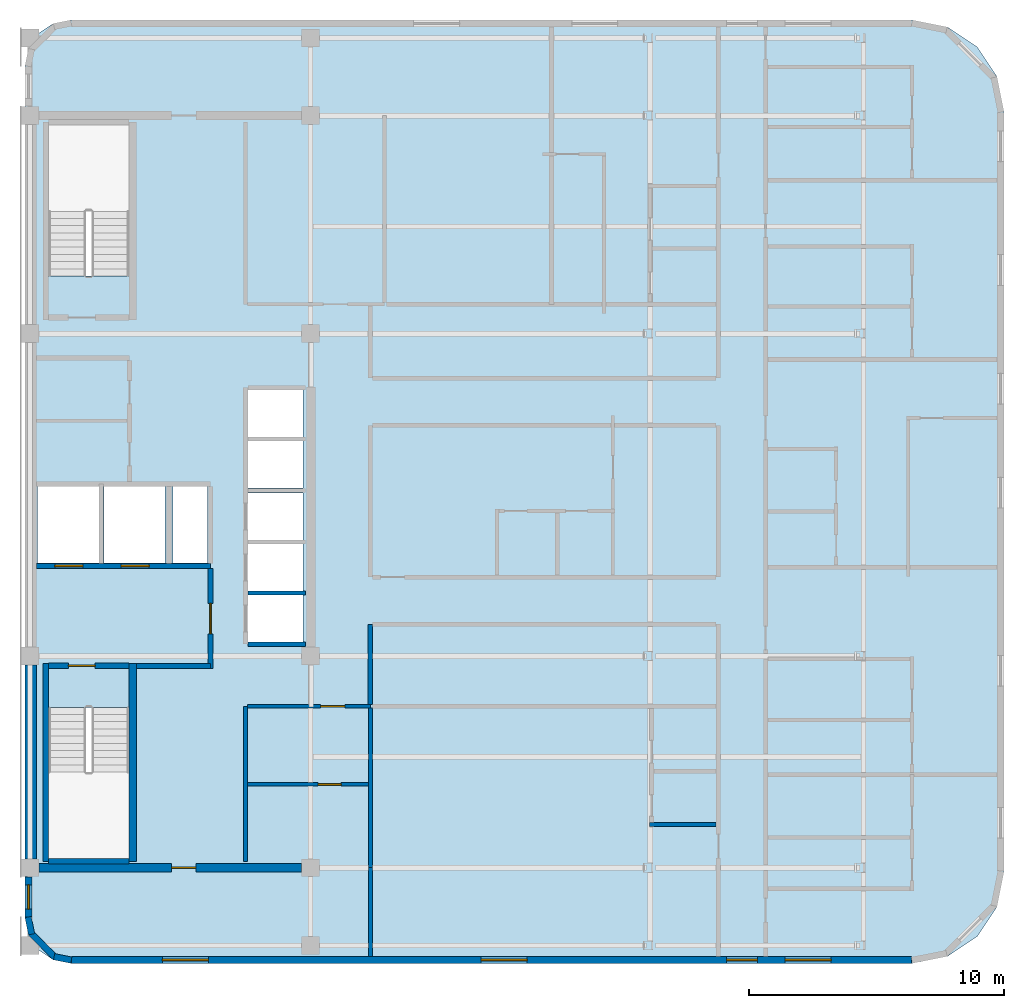
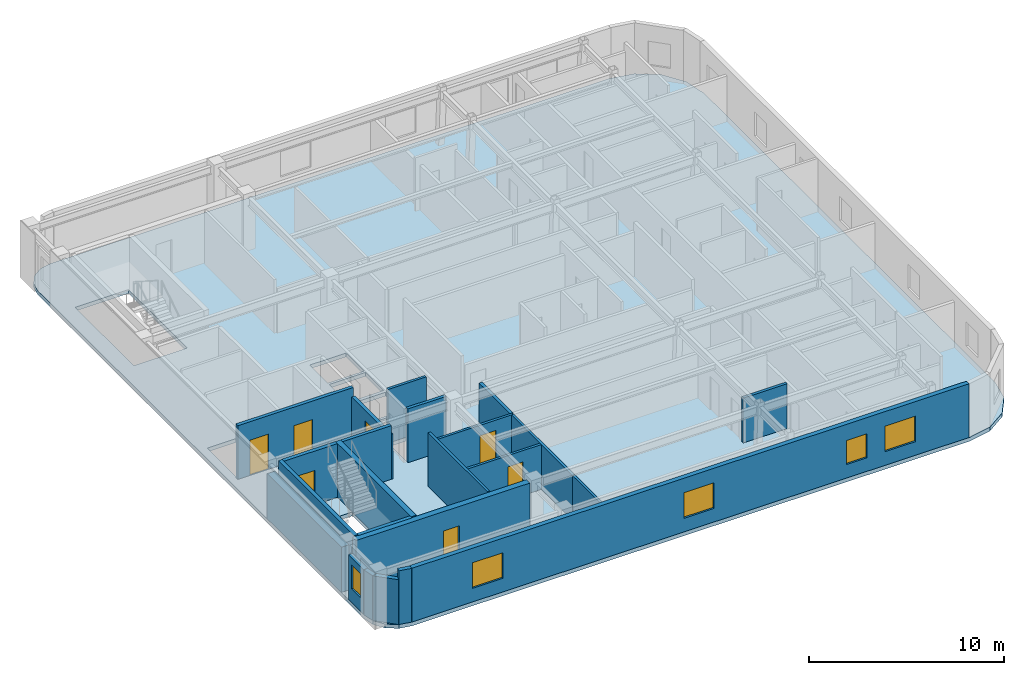
# One storey, part 2 of 7: 23 walls, 7 doors, 5 windows, 1 slab, 12 openings.
"""IFC4 building model written with IfcOpenShell, lengths in metres."""

from ifc_helpers import new_model, si_unit, direction, frame, frame_2d, origin, place, context, subcontext, project, spatial, polyline, rectangle, outline, extrude, material, layer, layer_set, type_object, element, fill, save


model = new_model("IFC4")

# Units and contexts
model_context = context("Model", 3, precision=1e-05, world=origin(), true_north=direction((0.0, 1.0)))
body_context = subcontext(model_context, "Body", "Model", "MODEL_VIEW")
ifc_project = project(units=[si_unit("LENGTHUNIT", "METRE"), si_unit("AREAUNIT", "SQUARE_METRE"), si_unit("VOLUMEUNIT", "CUBIC_METRE"), si_unit("PLANEANGLEUNIT", "RADIAN"), si_unit("MASSUNIT", "GRAM", prefix="KILO")], contexts=[model_context])

# Site, building, storey
site_placement = place(None, origin())
site = spatial("IfcSite", under=ifc_project, at=site_placement, CompositionType="ELEMENT")
building_placement = place(site_placement, origin())
building = spatial("IfcBuilding", under=site, at=building_placement, Name="Ochreholt Gables", CompositionType="ELEMENT")
storey_placement = place(building_placement, frame((0.0, 0.0, 242.39990234375)))
storey = spatial("IfcBuildingStorey", under=building, at=storey_placement, Name="L63", CompositionType="ELEMENT", Elevation=242.39990234375)

# Slab
ifc_material_1 = material(Name="Concrete 40 MPa", Category="concrete")
ifc_layer_1 = layer(ifc_material_1, 0.239990234375, Name="Concrete 40 MPa")
ifc_layer_set_1 = layer_set([ifc_layer_1], Name="Concrete 40 MPa")
slab_type = type_object("IfcSlabType", Name="SLAB-TWR-240", PredefinedType="FLOOR", material=ifc_layer_set_1)
slab_placement = place(storey_placement, frame((0.0, 0.0, -0.239990234375)))
element("IfcSlab", 1, at=slab_placement, inside=storey, type_object=slab_type, Name="L63 Structural Floor Slab", PredefinedType="FLOOR", context=body_context, shape_type="SweptSolid", body=[
    extrude(outline(polyline([(24.0, 7.300048828125), (24.136962890625, 6.611083984375), (24.527099609375, 6.027099609375), (25.111083984375, 5.636962890625), (25.800048828125, 5.5), (58.800048828125, 5.5), (60.177734375, 5.77392578125), (61.345703125, 6.554443359375), (62.1259765625, 7.722412109375), (62.39990234375, 9.10009765625), (62.39990234375, 38.89990234375), (62.1259765625, 40.277587890625), (61.345703125, 41.445556640625), (60.177734375, 42.22607421875), (58.800048828125, 42.5), (25.800048828125, 42.5), (25.111083984375, 42.363037109375), (24.527099609375, 41.972900390625), (24.136962890625, 41.388916015625), (24.0, 40.699951171875), (24.0, 7.300048828125)]), holes=[polyline([(24.919921875, 15.539306640625), (24.919921875, 9.52001953125), (28.080078125, 9.52001953125), (28.080078125, 15.539306640625), (24.919921875, 15.539306640625)]), polyline([(28.080078125, 32.460693359375), (28.080078125, 38.47998046875), (24.919921875, 38.47998046875), (24.919921875, 32.460693359375), (28.080078125, 32.460693359375)]), polyline([(24.5, 21.199951171875), (26.89990234375, 21.199951171875), (26.89990234375, 24.199951171875), (24.5, 24.199951171875), (24.5, 21.199951171875)]), polyline([(27.10009765625, 21.199951171875), (29.5, 21.199951171875), (29.5, 24.199951171875), (27.10009765625, 24.199951171875), (27.10009765625, 21.199951171875)]), polyline([(32.75, 18.10009765625), (34.89990234375, 18.10009765625), (34.89990234375, 19.949951171875), (32.75, 19.949951171875), (32.75, 18.10009765625)]), polyline([(32.75, 20.10009765625), (34.89990234375, 20.10009765625), (34.89990234375, 21.949951171875), (32.75, 21.949951171875), (32.75, 20.10009765625)]), polyline([(32.75, 22.10009765625), (34.89990234375, 22.10009765625), (34.89990234375, 23.949951171875), (32.75, 23.949951171875), (32.75, 22.10009765625)]), polyline([(32.75, 24.14990234375), (34.89990234375, 24.14990234375), (34.89990234375, 26.0), (32.75, 26.0), (32.75, 24.14990234375)]), polyline([(32.75, 26.14990234375), (34.89990234375, 26.14990234375), (34.89990234375, 28.0), (32.75, 28.0), (32.75, 26.14990234375)]), polyline([(29.800048828125, 21.199951171875), (31.14990234375, 21.199951171875), (31.14990234375, 24.199951171875), (29.800048828125, 24.199951171875), (29.800048828125, 21.199951171875)])]), origin(), (0.0, 0.0, 1.0), 0.239990234375),
])

# Wall, opening, door
ifc_material_2 = material(Name="Concrete 50 MPa", Category="concrete")
ifc_layer_2 = layer(ifc_material_2, 0.35009765625, Name="Concrete 50 MPa")
ifc_layer_set_2 = layer_set([ifc_layer_2], Name="Concrete 50 MPa")
wall_type_1 = type_object("IfcWallType", Name="WALL-CSW-350", PredefinedType="SHEAR", material=ifc_layer_set_2)
wall_1_placement = place(storey_placement, frame((24.550048828125, 9.25, 0.0), z_axis=(0.0, 0.0, 1.0), x_axis=(1.0, 0.0, 0.0)))
wall_1 = element("IfcWall", 2, at=wall_1_placement, inside=storey, type_object=wall_type_1, Name="L63 Core South Shear Wall", PredefinedType="SHEAR", context=body_context, shape_type="SweptSolid", body=[
    extrude(rectangle(XDim=10.300048828125, YDim=0.35009765625, at=frame_2d((5.14990234375, 0.0))), origin(), (0.0, 0.0, 1.0), 3.360107421875),
])
opening_1_placement = place(wall_1_placement, frame((5.199951171875, 0.0, 0.0)))
opening_1 = element("IfcOpeningElement", 3, at=opening_1_placement, cuts=wall_1, Name="Opening D-FL2", PredefinedType="OPENING", context=body_context, shape_type="SweptSolid", body=[
    extrude(rectangle(XDim=0.949951171875, YDim=2.14990234375, at=frame_2d((0.47509765625, 1.074951171875))), frame((0.0, 0.18505859375, 0.0), z_axis=(0.0, -1.0, 0.0), x_axis=(1.0, 0.0, 0.0)), (0.0, 0.0, 1.0), 0.3701171875),
])
ifc_material_3 = material(Name="Hollow Metal Steel", Category="steel")
door_type_1 = type_object("IfcDoorType", Name="DR-INT-FLB950", OperationType="NOTDEFINED", PredefinedType="DOOR", material=ifc_material_3)
door_1_placement = place(opening_1_placement, frame((0.949951171875, 0.0, 0.0), z_axis=(0.0, 0.0, 1.0), x_axis=(-1.0, 0.0, 0.0)))
door_1 = element("IfcDoor", 4, at=door_1_placement, inside=storey, type_object=door_type_1, Name="L63 Door D-C3SSL-L63", OperationType="SINGLE_SWING_LEFT", OverallHeight=2.14990234375, OverallWidth=0.949951171875, PredefinedType="DOOR", context=body_context, shape_type="SweptSolid", body=[
    extrude(rectangle(XDim=0.949951171875, YDim=2.14990234375, at=frame_2d((0.47509765625, 1.074951171875))), frame((0.0, 0.02490234375, 0.0), z_axis=(0.0, -1.0, 0.0), x_axis=(1.0, 0.0, 0.0)), (0.0, 0.0, 1.0), 0.050048828125),
])
fill(opening_1, door_1)

# Wall
ifc_layer_3 = layer(ifc_material_2, 0.449951171875, Name="Concrete 50 MPa")
ifc_layer_set_3 = layer_set([ifc_layer_3], Name="Concrete 50 MPa")
wall_type_2 = type_object("IfcWallType", Name="WALL-CSW-EXT", PredefinedType="SHEAR", material=ifc_layer_set_3)
wall_2_placement = place(storey_placement, frame((24.22509765625, 9.60009765625, 0.0), z_axis=(0.0, 0.0, 1.0), x_axis=(0.0, 1.0, 0.0)))
element("IfcWall", 5, at=wall_2_placement, inside=storey, type_object=wall_type_2, Name="L63 Core West Shear Wall WS", PredefinedType="SHEAR", context=body_context, shape_type="SweptSolid", body=[
    extrude(rectangle(XDim=7.599853515625, YDim=0.449951171875, at=frame_2d((3.7998046875, 0.0))), origin(), (0.0, 0.0, 1.0), 2.821044921875),
])

# Wall, openings, windows
ifc_material_4 = material(Name="Precast concrete 40 MPa", Category="concrete")
ifc_layer_4 = layer(ifc_material_4, 0.27001953125, Name="Precast concrete 40 MPa")
ifc_layer_set_4 = layer_set([ifc_layer_4], Name="Precast concrete 40 MPa")
wall_type_3 = type_object("IfcWallType", Name="WALL-EXT-270", PredefinedType="SOLIDWALL", material=ifc_layer_set_4)
wall_3_placement = place(storey_placement, frame((25.820068359375, 5.635009765625, 0.0), z_axis=(0.0, 0.0, 1.0), x_axis=(1.0, 0.0, 0.0)))
wall_3 = element("IfcWall", 6, at=wall_3_placement, inside=storey, type_object=wall_type_3, Name="L63 South Exterior Wall", PredefinedType="SOLIDWALL", context=body_context, shape_type="SweptSolid", body=[
    extrude(rectangle(XDim=32.9599609375, YDim=0.27001953125, at=frame_2d((16.47998046875, 0.0))), origin(), (0.0, 0.0, 1.0), 3.360107421875),
])
opening_2_placement = place(wall_3_placement, frame((3.570068359375, 0.0, 0.85009765625)))
opening_2 = element("IfcOpeningElement", 7, at=opening_2_placement, cuts=wall_3, Name="Opening WN-1", PredefinedType="OPENING", context=body_context, shape_type="SweptSolid", body=[
    extrude(rectangle(XDim=1.800048828125, YDim=1.60009765625, at=frame_2d((0.89990234375, 0.800048828125))), frame((0.0, 0.14501953125, 0.0), z_axis=(0.0, -1.0, 0.0), x_axis=(1.0, 0.0, 0.0)), (0.0, 0.0, 1.0), 0.2900390625),
])
opening_3_placement = place(wall_3_placement, frame((16.076416015625, 0.0, 0.85009765625)))
opening_3 = element("IfcOpeningElement", 8, at=opening_3_placement, cuts=wall_3, Name="Opening WN-1", PredefinedType="OPENING", context=body_context, shape_type="SweptSolid", body=[
    extrude(rectangle(XDim=1.800048828125, YDim=1.60009765625, at=frame_2d((0.89990234375, 0.800048828125))), frame((0.0, 0.14501953125, 0.0), z_axis=(0.0, -1.0, 0.0), x_axis=(1.0, 0.0, 0.0)), (0.0, 0.0, 1.0), 0.2900390625),
])
opening_4_placement = place(wall_3_placement, frame((25.705078125, 0.0, 0.85009765625)))
opening_4 = element("IfcOpeningElement", 9, at=opening_4_placement, cuts=wall_3, Name="Opening WN-3", PredefinedType="OPENING", context=body_context, shape_type="SweptSolid", body=[
    extrude(rectangle(XDim=1.199951171875, YDim=1.5, at=frame_2d((0.60009765625, 0.75))), frame((0.0, 0.14501953125, 0.0), z_axis=(0.0, -1.0, 0.0), x_axis=(1.0, 0.0, 0.0)), (0.0, 0.0, 1.0), 0.2900390625),
])
opening_5_placement = place(wall_3_placement, frame((27.9951171875, 0.0, 0.85009765625)))
opening_5 = element("IfcOpeningElement", 10, at=opening_5_placement, cuts=wall_3, Name="Opening WN-1", PredefinedType="OPENING", context=body_context, shape_type="SweptSolid", body=[
    extrude(rectangle(XDim=1.800048828125, YDim=1.60009765625, at=frame_2d((0.89990234375, 0.800048828125))), frame((0.0, 0.14501953125, 0.0), z_axis=(0.0, -1.0, 0.0), x_axis=(1.0, 0.0, 0.0)), (0.0, 0.0, 1.0), 0.2900390625),
])
ifc_material_5 = material(Name="Triple-Glazed Thermally Broken Aluminium Window", Category="aluminium")
window_type_1 = type_object("IfcWindowType", Name="WIN-RES-1200", PartitioningType="SINGLE_PANEL", PredefinedType="WINDOW", material=ifc_material_5)
window_1_placement = place(opening_4_placement, origin())
window_1 = element("IfcWindow", 11, at=window_1_placement, inside=storey, type_object=window_type_1, Name="L63 Window W-EXT-S-L63-3", OverallHeight=1.5, OverallWidth=1.199951171875, PartitioningType="SINGLE_PANEL", PredefinedType="WINDOW", context=body_context, shape_type="SweptSolid", body=[
    extrude(rectangle(XDim=1.199951171875, YDim=1.5, at=frame_2d((0.60009765625, 0.75))), frame((0.0, 0.030029296875, 0.0), z_axis=(0.0, -1.0, 0.0), x_axis=(1.0, 0.0, 0.0)), (0.0, 0.0, 1.0), 0.06005859375),
])
fill(opening_4, window_1)
window_type_2 = type_object("IfcWindowType", Name="WIN-RES-1800", PartitioningType="SINGLE_PANEL", PredefinedType="WINDOW", material=ifc_material_5)
window_2_placement = place(opening_2_placement, origin())
window_2 = element("IfcWindow", 12, at=window_2_placement, inside=storey, type_object=window_type_2, Name="L63 Window W-EXT-S-L63-1", OverallHeight=1.60009765625, OverallWidth=1.800048828125, PartitioningType="SINGLE_PANEL", PredefinedType="WINDOW", context=body_context, shape_type="SweptSolid", body=[
    extrude(rectangle(XDim=1.800048828125, YDim=1.60009765625, at=frame_2d((0.89990234375, 0.800048828125))), frame((0.0, 0.030029296875, 0.0), z_axis=(0.0, -1.0, 0.0), x_axis=(1.0, 0.0, 0.0)), (0.0, 0.0, 1.0), 0.06005859375),
])
fill(opening_2, window_2)
window_3_placement = place(opening_3_placement, origin())
window_3 = element("IfcWindow", 13, at=window_3_placement, inside=storey, type_object=window_type_2, Name="L63 Window W-EXT-S-L63-2", OverallHeight=1.60009765625, OverallWidth=1.800048828125, PartitioningType="SINGLE_PANEL", PredefinedType="WINDOW", context=body_context, shape_type="SweptSolid", body=[
    extrude(rectangle(XDim=1.800048828125, YDim=1.60009765625, at=frame_2d((0.89990234375, 0.800048828125))), frame((0.0, 0.030029296875, 0.0), z_axis=(0.0, -1.0, 0.0), x_axis=(1.0, 0.0, 0.0)), (0.0, 0.0, 1.0), 0.06005859375),
])
fill(opening_3, window_3)
window_4_placement = place(opening_5_placement, origin())
window_4 = element("IfcWindow", 14, at=window_4_placement, inside=storey, type_object=window_type_2, Name="L63 Window W-EXT-S-L63-4", OverallHeight=1.60009765625, OverallWidth=1.800048828125, PartitioningType="SINGLE_PANEL", PredefinedType="WINDOW", context=body_context, shape_type="SweptSolid", body=[
    extrude(rectangle(XDim=1.800048828125, YDim=1.60009765625, at=frame_2d((0.89990234375, 0.800048828125))), frame((0.0, 0.030029296875, 0.0), z_axis=(0.0, -1.0, 0.0), x_axis=(1.0, 0.0, 0.0)), (0.0, 0.0, 1.0), 0.06005859375),
])
fill(opening_5, window_4)

# Wall, opening, window
wall_4_placement = place(storey_placement, frame((24.135009765625, 7.320068359375, 0.0), z_axis=(0.0, 0.0, 1.0), x_axis=(0.0, 1.0, 0.0)))
wall_4 = element("IfcWall", 15, at=wall_4_placement, inside=storey, type_object=wall_type_3, Name="L63 West Facade South Bay Wall", PredefinedType="SOLIDWALL", context=body_context, shape_type="SweptSolid", body=[
    extrude(rectangle(XDim=1.559814453125, YDim=0.27001953125, at=frame_2d((0.77978515625, 0.0))), origin(), (0.0, 0.0, 1.0), 2.802978515625),
])
opening_6_placement = place(wall_4_placement, frame((0.304931640625, 0.0, 0.85009765625)))
opening_6 = element("IfcOpeningElement", 16, at=opening_6_placement, cuts=wall_4, Name="Opening WN-10", PredefinedType="OPENING", context=body_context, shape_type="SweptSolid", body=[
    extrude(rectangle(XDim=0.949951171875, YDim=1.5, at=frame_2d((0.47509765625, 0.75))), frame((0.0, 0.14501953125, 0.0), z_axis=(0.0, -1.0, 0.0), x_axis=(1.0, 0.0, 0.0)), (0.0, 0.0, 1.0), 0.2900390625),
])
window_type_3 = type_object("IfcWindowType", Name="WIN-RES-950", PartitioningType="SINGLE_PANEL", PredefinedType="WINDOW", material=ifc_material_5)
window_5_placement = place(opening_6_placement, origin())
window_5 = element("IfcWindow", 17, at=window_5_placement, inside=storey, type_object=window_type_3, Name="L63 South Sky Lounge West Window", OverallHeight=1.5, OverallWidth=0.949951171875, PartitioningType="SINGLE_PANEL", PredefinedType="WINDOW", context=body_context, shape_type="SweptSolid", body=[
    extrude(rectangle(XDim=0.949951171875, YDim=1.5, at=frame_2d((0.47509765625, 0.75))), frame((0.0, 0.030029296875, 0.0), z_axis=(0.0, -1.0, 0.0), x_axis=(1.0, 0.0, 0.0)), (0.0, 0.0, 1.0), 0.06005859375),
])
fill(opening_6, window_5)

# Walls
ifc_layer_5 = layer(ifc_material_4, 0.25, Name="Precast concrete 40 MPa")
ifc_layer_set_5 = layer_set([ifc_layer_5], Name="Precast concrete 40 MPa")
wall_type_4 = type_object("IfcWallType", Name="WALL-EXT-CNR", PredefinedType="SOLIDWALL", material=ifc_layer_set_5)
wall_5_placement = place(storey_placement, frame((24.124267578125, 7.31640625, 0.0), z_axis=(0.0, 0.0, 1.0), x_axis=(0.194952956674, -0.980812594069, 0.0)))
element("IfcWall", 18, at=wall_5_placement, inside=storey, type_object=wall_type_4, Name="L63 Rounded Corner Wall SW-1", PredefinedType="SOLIDWALL", context=body_context, shape_type="SweptSolid", body=[
    extrude(rectangle(XDim=0.686279296875, YDim=0.25, at=frame_2d((0.34326171875, 0.0))), origin(), (0.0, 0.0, 1.0), 2.802978515625),
])
wall_6_placement = place(storey_placement, frame((24.23095703125, 6.69384765625, 0.0), z_axis=(0.0, 0.0, 1.0), x_axis=(0.707106781187, -0.707106781187, 0.0)))
element("IfcWall", 19, at=wall_6_placement, inside=storey, type_object=wall_type_4, Name="L63 Rounded Corner Wall SW-2", PredefinedType="SOLIDWALL", context=body_context, shape_type="SweptSolid", body=[
    extrude(rectangle(XDim=1.36181640625, YDim=0.25, at=frame_2d((0.680908203125, 0.0))), origin(), (0.0, 0.0, 1.0), 2.802978515625),
])
wall_7_placement = place(storey_placement, frame((25.143310546875, 5.758056640625, 0.0), z_axis=(0.0, 0.0, 1.0), x_axis=(0.980812594069, -0.194952956674, 0.0)))
element("IfcWall", 20, at=wall_7_placement, inside=storey, type_object=wall_type_4, Name="L63 Rounded Corner Wall SW-3", PredefinedType="SOLIDWALL", context=body_context, shape_type="SweptSolid", body=[
    extrude(rectangle(XDim=0.686279296875, YDim=0.25, at=frame_2d((0.34326171875, 0.0))), origin(), (0.0, 0.0, 1.0), 3.360107421875),
])

# Wall, openings, doors
ifc_layer_6 = layer(ifc_material_1, 0.199951171875, Name="Concrete 40 MPa")
ifc_layer_set_6 = layer_set([ifc_layer_6], Name="Concrete 40 MPa")
wall_type_5 = type_object("IfcWallType", Name="WALL-INT-CF200", PredefinedType="STANDARD", material=ifc_layer_set_6)
wall_8_placement = place(storey_placement, frame((24.449951171875, 21.090087890625, 0.0), z_axis=(0.0, 0.0, 1.0), x_axis=(1.0, 0.0, 0.0)))
wall_8 = element("IfcWall", 21, at=wall_8_placement, inside=storey, type_object=wall_type_5, Name="L63 Interior Wall WI-FFN-L63", PredefinedType="STANDARD", context=body_context, shape_type="SweptSolid", body=[
    extrude(rectangle(XDim=6.830078125, YDim=0.199951171875, at=frame_2d((3.4150390625, 0.0))), origin(), (0.0, 0.0, 1.0), 3.360107421875),
])
opening_7_placement = place(wall_8_placement, frame((0.719970703125, 0.0, 0.0)))
opening_7 = element("IfcOpeningElement", 22, at=opening_7_placement, cuts=wall_8, Name="Opening LD-FF", PredefinedType="OPENING", context=body_context, shape_type="SweptSolid", body=[
    extrude(rectangle(XDim=1.10009765625, YDim=2.199951171875, at=frame_2d((0.550048828125, 1.10009765625))), frame((0.0, 0.10986328125, 0.0), z_axis=(0.0, -1.0, 0.0), x_axis=(1.0, 0.0, 0.0)), (0.0, 0.0, 1.0), 0.219970703125),
])
opening_8_placement = place(wall_8_placement, frame((3.320068359375, 0.0, 0.0)))
opening_8 = element("IfcOpeningElement", 23, at=opening_8_placement, cuts=wall_8, Name="Opening LD-FF", PredefinedType="OPENING", context=body_context, shape_type="SweptSolid", body=[
    extrude(rectangle(XDim=1.10009765625, YDim=2.199951171875, at=frame_2d((0.550048828125, 1.10009765625))), frame((0.0, 0.10986328125, 0.0), z_axis=(0.0, -1.0, 0.0), x_axis=(1.0, 0.0, 0.0)), (0.0, 0.0, 1.0), 0.219970703125),
])
ifc_material_6 = material(Name="Stainless Steel", Category="steel")
door_type_2 = type_object("IfcDoorType", Name="DR-LFT-FF1100", OperationType="NOTDEFINED", PredefinedType="DOOR", material=ifc_material_6)
door_2_placement = place(opening_7_placement, origin())
door_2 = element("IfcDoor", 24, at=door_2_placement, inside=storey, type_object=door_type_2, Name="L63 Door LD-FF1-L63", OperationType="SLIDING_TO_LEFT", OverallHeight=2.199951171875, OverallWidth=1.10009765625, PredefinedType="DOOR", context=body_context, shape_type="SweptSolid", body=[
    extrude(rectangle(XDim=1.10009765625, YDim=2.199951171875, at=frame_2d((0.550048828125, 1.10009765625))), frame((0.0, 0.02490234375, 0.0), z_axis=(0.0, -1.0, 0.0), x_axis=(1.0, 0.0, 0.0)), (0.0, 0.0, 1.0), 0.050048828125),
])
fill(opening_7, door_2)
door_3_placement = place(opening_8_placement, origin())
door_3 = element("IfcDoor", 25, at=door_3_placement, inside=storey, type_object=door_type_2, Name="L63 Door LD-FF2-L63", OperationType="SLIDING_TO_LEFT", OverallHeight=2.199951171875, OverallWidth=1.10009765625, PredefinedType="DOOR", context=body_context, shape_type="SweptSolid", body=[
    extrude(rectangle(XDim=1.10009765625, YDim=2.199951171875, at=frame_2d((0.550048828125, 1.10009765625))), frame((0.0, 0.02490234375, 0.0), z_axis=(0.0, -1.0, 0.0), x_axis=(1.0, 0.0, 0.0)), (0.0, 0.0, 1.0), 0.050048828125),
])
fill(opening_8, door_3)

# Wall
wall_9_placement = place(storey_placement, frame((28.3798828125, 17.169921875, 0.0), z_axis=(0.0, 0.0, 1.0), x_axis=(1.0, 0.0, 0.0)))
element("IfcWall", 26, at=wall_9_placement, inside=storey, type_object=wall_type_5, Name="L63 Interior Wall WI-FFS-L63", PredefinedType="STANDARD", context=body_context, shape_type="SweptSolid", body=[
    extrude(rectangle(XDim=2.900146484375, YDim=0.199951171875, at=frame_2d((1.4501953125, 0.0))), origin(), (0.0, 0.0, 1.0), 3.360107421875),
])

# Wall, opening, door
wall_10_placement = place(storey_placement, frame((31.280029296875, 17.070068359375, 0.0), z_axis=(0.0, 0.0, 1.0), x_axis=(0.0, 1.0, 0.0)))
wall_10 = element("IfcWall", 27, at=wall_10_placement, inside=storey, type_object=wall_type_5, Name="L63 Interior Wall WI-FFE-L63", PredefinedType="STANDARD", context=body_context, shape_type="SweptSolid", body=[
    extrude(rectangle(XDim=3.919921875, YDim=0.199951171875, at=frame_2d((1.9599609375, 0.0))), origin(), (0.0, 0.0, 1.0), 2.802978515625),
])
opening_9_placement = place(wall_10_placement, frame((1.35009765625, 0.0, 0.0)))
opening_9 = element("IfcOpeningElement", 28, at=opening_9_placement, cuts=wall_10, Name="Opening D-FFL", PredefinedType="OPENING", context=body_context, shape_type="SweptSolid", body=[
    extrude(rectangle(XDim=1.199951171875, YDim=2.14990234375, at=frame_2d((0.60009765625, 1.074951171875))), frame((0.0, 0.10986328125, 0.0), z_axis=(0.0, -1.0, 0.0), x_axis=(1.0, 0.0, 0.0)), (0.0, 0.0, 1.0), 0.219970703125),
])
door_type_3 = type_object("IfcDoorType", Name="DR-INT-FFL1200", OperationType="NOTDEFINED", PredefinedType="DOOR", material=ifc_material_3)
door_4_placement = place(opening_9_placement, origin())
door_4 = element("IfcDoor", 29, at=door_4_placement, inside=storey, type_object=door_type_3, Name="L63 Door D-FFL-L63", OperationType="SINGLE_SWING_LEFT", OverallHeight=2.14990234375, OverallWidth=1.199951171875, PredefinedType="DOOR", context=body_context, shape_type="SweptSolid", body=[
    extrude(rectangle(XDim=1.199951171875, YDim=2.14990234375, at=frame_2d((0.60009765625, 1.074951171875))), frame((0.0, 0.02490234375, 0.0), z_axis=(0.0, -1.0, 0.0), x_axis=(1.0, 0.0, 0.0)), (0.0, 0.0, 1.0), 0.050048828125),
])
fill(opening_9, door_4)

# Walls
ifc_material_7 = material(Name="Fire-Rated Gypsum Acoustic Partition", Category="gypsum")
ifc_layer_7 = layer(ifc_material_7, 0.179931640625, Name="Fire-Rated Gypsum Acoustic Partition")
ifc_layer_set_7 = layer_set([ifc_layer_7], Name="Fire-Rated Gypsum Acoustic Partition")
wall_type_6 = type_object("IfcWallType", Name="WALL-INT-CR180", PredefinedType="STANDARD", material=ifc_layer_set_7)
wall_11_placement = place(storey_placement, frame((37.550048828125, 15.652587890625, 0.0), z_axis=(0.0, 0.0, 1.0), x_axis=(0.0, 1.0, 0.0)))
element("IfcWall", 30, at=wall_11_placement, inside=storey, type_object=wall_type_6, Name="L63 Interior Wall WI-C3CE0-L63", PredefinedType="STANDARD", context=body_context, shape_type="SweptSolid", body=[
    extrude(rectangle(XDim=3.1474609375, YDim=0.179931640625, at=frame_2d((1.57373046875, 0.0))), origin(), (0.0, 0.0, 1.0), 2.802978515625),
])
ifc_material_8 = material(Name="Moisture-Resistant Plumbing Chase Wall", Category="gypsum")
ifc_layer_8 = layer(ifc_material_8, 0.159912109375, Name="Moisture-Resistant Plumbing Chase Wall")
ifc_layer_set_8 = layer_set([ifc_layer_8], Name="Moisture-Resistant Plumbing Chase Wall")
wall_type_7 = type_object("IfcWallType", Name="WALL-INT-PL160", PredefinedType="PLUMBINGWALL", material=ifc_layer_set_8)
wall_12_placement = place(storey_placement, frame((48.50390625, 10.93994140625, 0.0), z_axis=(0.0, 0.0, 1.0), x_axis=(1.0, 0.0, 0.0)))
element("IfcWall", 31, at=wall_12_placement, inside=storey, type_object=wall_type_7, Name="L63 Interior Wall WU-L63SM1-WYS", PredefinedType="PLUMBINGWALL", context=body_context, shape_type="SweptSolid", body=[
    extrude(rectangle(XDim=2.606201171875, YDim=0.159912109375, at=frame_2d((1.30322265625, 0.0))), origin(), (0.0, 0.0, 1.0), 2.802978515625),
])
ifc_material_9 = material(Name="Lightweight Stud Partition", Category="gypsum")
ifc_layer_9 = layer(ifc_material_9, 0.14501953125, Name="Lightweight Stud Partition")
ifc_layer_set_9 = layer_set([ifc_layer_9], Name="Lightweight Stud Partition")
wall_type_8 = type_object("IfcWallType", Name="WALL-INT-PT145", PredefinedType="PARTITIONING", material=ifc_layer_set_9)
wall_13_placement = place(storey_placement, frame((32.64990234375, 9.5, 0.0), z_axis=(0.0, 0.0, 1.0), x_axis=(0.0, 1.0, 0.0)))
element("IfcWall", 32, at=wall_13_placement, inside=storey, type_object=wall_type_8, Name="L63 Interior Wall WI-RCL-W-L63", PredefinedType="PARTITIONING", context=body_context, shape_type="SweptSolid", body=[
    extrude(rectangle(XDim=6.080078125, YDim=0.14501953125, at=frame_2d((3.0400390625, 0.0))), origin(), (0.0, 0.0, 1.0), 3.360107421875),
])

# Wall, opening, door
wall_14_placement = place(storey_placement, frame((32.722412109375, 15.580078125, 0.0), z_axis=(0.0, 0.0, 1.0), x_axis=(1.0, 0.0, 0.0)))
wall_14 = element("IfcWall", 33, at=wall_14_placement, inside=storey, type_object=wall_type_8, Name="L63 Interior Wall WI-RCL-N-L63", PredefinedType="PARTITIONING", context=body_context, shape_type="SweptSolid", body=[
    extrude(rectangle(XDim=4.82763671875, YDim=0.14501953125, at=frame_2d((2.413818359375, 0.0))), origin(), (0.0, 0.0, 1.0), 2.802978515625),
])
opening_10_placement = place(wall_14_placement, frame((2.87744140625, 0.0, 0.0)))
opening_10 = element("IfcOpeningElement", 34, at=opening_10_placement, cuts=wall_14, Name="Opening D-GN1", PredefinedType="OPENING", context=body_context, shape_type="SweptSolid", body=[
    extrude(rectangle(XDim=0.949951171875, YDim=2.14990234375, at=frame_2d((0.47509765625, 1.074951171875))), frame((0.0, 0.08251953125, 0.0), z_axis=(0.0, -1.0, 0.0), x_axis=(1.0, 0.0, 0.0)), (0.0, 0.0, 1.0), 0.1650390625),
])
ifc_material_10 = material(Name="Engineered Oak Timber", Category="wood")
door_type_4 = type_object("IfcDoorType", Name="DR-INT-GEN950", OperationType="NOTDEFINED", PredefinedType="DOOR", material=ifc_material_10)
door_5_placement = place(opening_10_placement, origin())
door_5 = element("IfcDoor", 35, at=door_5_placement, inside=storey, type_object=door_type_4, Name="L63 Door D-RCL-L63", OperationType="SINGLE_SWING_LEFT", OverallHeight=2.14990234375, OverallWidth=0.949951171875, PredefinedType="DOOR", context=body_context, shape_type="SweptSolid", body=[
    extrude(rectangle(XDim=0.949951171875, YDim=2.14990234375, at=frame_2d((0.47509765625, 1.074951171875))), frame((0.0, 0.02490234375, 0.0), z_axis=(0.0, -1.0, 0.0), x_axis=(1.0, 0.0, 0.0)), (0.0, 0.0, 1.0), 0.050048828125),
])
fill(opening_10, door_5)

# Wall
wall_15_placement = place(storey_placement, frame((37.550048828125, 9.25, 0.0), z_axis=(0.0, 0.0, 1.0), x_axis=(0.0, 1.0, 0.0)))
element("IfcWall", 36, at=wall_15_placement, inside=storey, type_object=wall_type_8, Name="L63 Interior Wall WI-RCL-E-L63", PredefinedType="PARTITIONING", context=body_context, shape_type="SweptSolid", body=[
    extrude(rectangle(XDim=6.257568359375, YDim=0.14501953125, at=frame_2d((3.12890625, 0.0))), origin(), (0.0, 0.0, 1.0), 2.802978515625),
])

# Wall, opening, door
wall_16_placement = place(storey_placement, frame((32.722412109375, 12.52001953125, 0.0), z_axis=(0.0, 0.0, 1.0), x_axis=(1.0, 0.0, 0.0)))
wall_16 = element("IfcWall", 37, at=wall_16_placement, inside=storey, type_object=wall_type_8, Name="L63 Interior Wall WI-RCL-DV-L63", PredefinedType="PARTITIONING", context=body_context, shape_type="SweptSolid", body=[
    extrude(rectangle(XDim=4.755126953125, YDim=0.14501953125, at=frame_2d((2.37744140625, 0.0))), origin(), (0.0, 0.0, 1.0), 2.802978515625),
])
opening_11_placement = place(wall_16_placement, frame((2.777587890625, 0.0, 0.0)))
opening_11 = element("IfcOpeningElement", 38, at=opening_11_placement, cuts=wall_16, Name="Opening D-SV1", PredefinedType="OPENING", context=body_context, shape_type="SweptSolid", body=[
    extrude(rectangle(XDim=0.89990234375, YDim=2.10009765625, at=frame_2d((0.449951171875, 1.050048828125))), frame((0.0, 0.08251953125, 0.0), z_axis=(0.0, -1.0, 0.0), x_axis=(1.0, 0.0, 0.0)), (0.0, 0.0, 1.0), 0.1650390625),
])
door_type_5 = type_object("IfcDoorType", Name="DR-INT-SRV900", OperationType="NOTDEFINED", PredefinedType="DOOR", material=ifc_material_3)
door_6_placement = place(opening_11_placement, origin())
door_6 = element("IfcDoor", 39, at=door_6_placement, inside=storey, type_object=door_type_5, Name="L63 Door D-RCLI-L63", OperationType="SINGLE_SWING_RIGHT", OverallHeight=2.10009765625, OverallWidth=0.89990234375, PredefinedType="DOOR", context=body_context, shape_type="SweptSolid", body=[
    extrude(rectangle(XDim=0.89990234375, YDim=2.10009765625, at=frame_2d((0.449951171875, 1.050048828125))), frame((0.0, 0.02490234375, 0.0), z_axis=(0.0, -1.0, 0.0), x_axis=(1.0, 0.0, 0.0)), (0.0, 0.0, 1.0), 0.050048828125),
])
fill(opening_11, door_6)

# Walls
wall_17_placement = place(storey_placement, frame((37.550048828125, 5.77001953125, 0.0), z_axis=(0.0, 0.0, 1.0), x_axis=(0.0, 1.0, 0.0)))
element("IfcWall", 40, at=wall_17_placement, inside=storey, type_object=wall_type_8, Name="L63 Interior Wall WI-C3SMW-L63", PredefinedType="PARTITIONING", context=body_context, shape_type="SweptSolid", body=[
    extrude(rectangle(XDim=3.47998046875, YDim=0.14501953125, at=frame_2d((1.739990234375, 0.0))), origin(), (0.0, 0.0, 1.0), 2.802978515625),
])
ifc_material_11 = material(Name="Gypsum Shaftliner and Steel Stud", Category="steel")
ifc_layer_10 = layer(ifc_material_11, 0.14990234375, Name="Gypsum Shaftliner and Steel Stud")
ifc_layer_set_10 = layer_set([ifc_layer_10], Name="Gypsum Shaftliner and Steel Stud")
wall_type_9 = type_object("IfcWallType", Name="WALL-INT-SH150", PredefinedType="STANDARD", material=ifc_layer_set_10)
wall_18_placement = place(storey_placement, frame((32.739990234375, 20.02001953125, 0.0), z_axis=(0.0, 0.0, 1.0), x_axis=(1.0, 0.0, 0.0)))
element("IfcWall", 41, at=wall_18_placement, inside=storey, type_object=wall_type_9, Name="L63 Interior Wall WI-LFHE-DH1-L63", PredefinedType="STANDARD", context=body_context, shape_type="SweptSolid", body=[
    extrude(rectangle(XDim=2.260009765625, YDim=0.14990234375, at=frame_2d((1.1298828125, 0.0))), origin(), (0.0, 0.0, 1.0), 3.360107421875),
])
ifc_layer_11 = layer(ifc_material_11, 0.179931640625, Name="Gypsum Shaftliner and Steel Stud")
ifc_layer_set_11 = layer_set([ifc_layer_11], Name="Gypsum Shaftliner and Steel Stud")
wall_type_10 = type_object("IfcWallType", Name="WALL-INT-SH180", PredefinedType="STANDARD", material=ifc_layer_set_11)
wall_19_placement = place(storey_placement, frame((32.739990234375, 18.02001953125, 0.0), z_axis=(0.0, 0.0, 1.0), x_axis=(1.0, 0.0, 0.0)))
element("IfcWall", 42, at=wall_19_placement, inside=storey, type_object=wall_type_10, Name="L63 Interior Wall WI-LFHE-S-L63", PredefinedType="STANDARD", context=body_context, shape_type="SweptSolid", body=[
    extrude(rectangle(XDim=2.260009765625, YDim=0.179931640625, at=frame_2d((1.1298828125, 0.0))), origin(), (0.0, 0.0, 1.0), 3.360107421875),
])
ifc_material_12 = material(Name="Concrete 60 MPa", Category="concrete")
ifc_layer_12 = layer(ifc_material_12, 0.300048828125, Name="Concrete 60 MPa")
ifc_layer_set_12 = layer_set([ifc_layer_12], Name="Concrete 60 MPa")
wall_type_11 = type_object("IfcWallType", Name="WALL-SPN-300", PredefinedType="SHEAR", material=ifc_layer_set_12)
wall_20_placement = place(storey_placement, frame((28.22998046875, 9.5, 0.0), z_axis=(0.0, 0.0, 1.0), x_axis=(0.0, 1.0, 0.0)))
element("IfcWall", 43, at=wall_20_placement, inside=storey, type_object=wall_type_11, Name="L63 Core South Spine Shear Wall", PredefinedType="SHEAR", context=body_context, shape_type="SweptSolid", body=[
    extrude(rectangle(XDim=7.760009765625, YDim=0.300048828125, at=frame_2d((3.8798828125, 0.0))), origin(), (0.0, 0.0, 1.0), 3.360107421875),
])
ifc_layer_13 = layer(ifc_material_2, 0.219970703125, Name="Concrete 50 MPa")
ifc_layer_set_13 = layer_set([ifc_layer_13], Name="Concrete 50 MPa")
wall_type_12 = type_object("IfcWallType", Name="WALL-STW-220", PredefinedType="SHEAR", material=ifc_layer_set_13)
wall_21_placement = place(storey_placement, frame((24.81005859375, 9.5, 0.0), z_axis=(0.0, 0.0, 1.0), x_axis=(0.0, 1.0, 0.0)))
element("IfcWall", 44, at=wall_21_placement, inside=storey, type_object=wall_type_12, Name="L63 Exit Stair 1 West Wall", PredefinedType="SHEAR", context=body_context, shape_type="SweptSolid", body=[
    extrude(rectangle(XDim=7.760009765625, YDim=0.219970703125, at=frame_2d((3.8798828125, 0.0))), origin(), (0.0, 0.0, 1.0), 3.360107421875),
])
wall_22_placement = place(storey_placement, frame((24.919921875, 9.510009765625, 0.0), z_axis=(0.0, 0.0, 1.0), x_axis=(1.0, 0.0, 0.0)))
element("IfcWall", 45, at=wall_22_placement, inside=storey, type_object=wall_type_12, Name="L63 Exit Stair 1 South Wall", PredefinedType="SHEAR", context=body_context, shape_type="SweptSolid", body=[
    extrude(rectangle(XDim=3.16015625, YDim=0.219970703125, at=frame_2d((1.580078125, 0.0))), origin(), (0.0, 0.0, 1.0), 3.360107421875),
])

# Wall, opening, door
wall_23_placement = place(storey_placement, frame((24.919921875, 17.169921875, 0.0), z_axis=(0.0, 0.0, 1.0), x_axis=(1.0, 0.0, 0.0)))
wall_23 = element("IfcWall", 46, at=wall_23_placement, inside=storey, type_object=wall_type_12, Name="L63 Exit Stair 1 North Wall", PredefinedType="SHEAR", context=body_context, shape_type="SweptSolid", body=[
    extrude(rectangle(XDim=3.16015625, YDim=0.219970703125, at=frame_2d((1.580078125, 0.0))), origin(), (0.0, 0.0, 1.0), 3.360107421875),
])
opening_12_placement = place(wall_23_placement, frame((0.780029296875, 0.0, 0.0)))
opening_12 = element("IfcOpeningElement", 47, at=opening_12_placement, cuts=wall_23, Name="Opening D-STC", PredefinedType="OPENING", context=body_context, shape_type="SweptSolid", body=[
    extrude(rectangle(XDim=1.050048828125, YDim=2.14990234375, at=frame_2d((0.52490234375, 1.074951171875))), frame((0.0, 0.119873046875, 0.0), z_axis=(0.0, -1.0, 0.0), x_axis=(1.0, 0.0, 0.0)), (0.0, 0.0, 1.0), 0.239990234375),
])
door_type_6 = type_object("IfcDoorType", Name="DR-INT-ST1050", OperationType="NOTDEFINED", PredefinedType="DOOR", material=ifc_material_3)
door_7_placement = place(opening_12_placement, frame((1.050048828125, 0.0, 0.0), z_axis=(0.0, 0.0, 1.0), x_axis=(-1.0, 0.0, 0.0)))
door_7 = element("IfcDoor", 48, at=door_7_placement, inside=storey, type_object=door_type_6, Name="L63 Door D-ST1-L63", OperationType="SINGLE_SWING_LEFT", OverallHeight=2.14990234375, OverallWidth=1.050048828125, PredefinedType="DOOR", context=body_context, shape_type="SweptSolid", body=[
    extrude(rectangle(XDim=1.050048828125, YDim=2.14990234375, at=frame_2d((0.52490234375, 1.074951171875))), frame((0.0, 0.02490234375, 0.0), z_axis=(0.0, -1.0, 0.0), x_axis=(1.0, 0.0, 0.0)), (0.0, 0.0, 1.0), 0.050048828125),
])
fill(opening_12, door_7)

save(model, "model.ifc")
